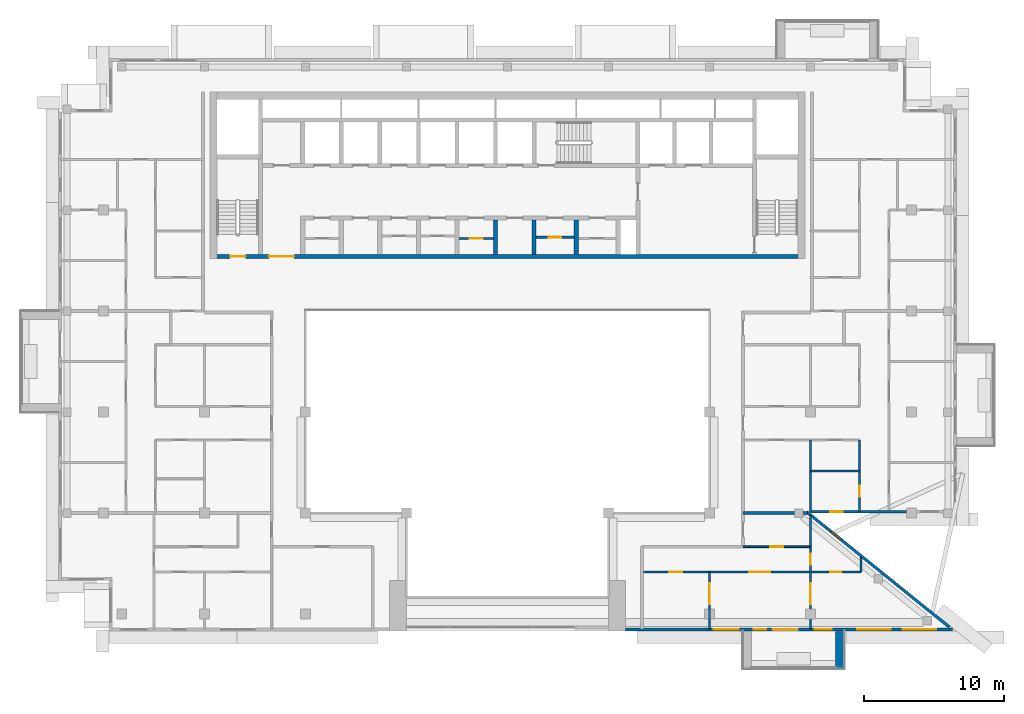
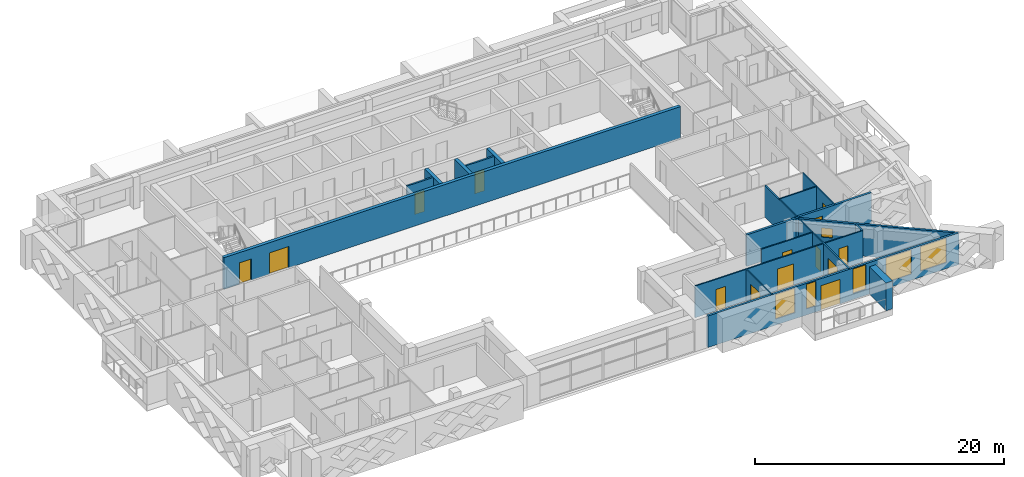
# One storey, part 8 of 19: 19 walls, 13 doors, 7 windows, 20 openings.
"""IFC4 building model written with IfcOpenShell, lengths in metres."""

from ifc_helpers import new_model, si_unit, direction, frame, frame_2d, origin, place, context, subcontext, project, spatial, rectangle, extrude, material, layer, layer_set, type_object, element, fill, save


model = new_model("IFC4")

# Units and contexts
model_context = context("Model", 3, precision=1e-05, world=origin(), true_north=direction((0.0, 1.0)))
body_context = subcontext(model_context, "Body", "Model", "MODEL_VIEW")
ifc_project = project(units=[si_unit("LENGTHUNIT", "METRE"), si_unit("AREAUNIT", "SQUARE_METRE"), si_unit("VOLUMEUNIT", "CUBIC_METRE"), si_unit("PLANEANGLEUNIT", "RADIAN"), si_unit("MASSUNIT", "GRAM", prefix="KILO")], contexts=[model_context])

# Site, building, storey
site_placement = place(None, origin())
site = spatial("IfcSite", under=ifc_project, at=site_placement, CompositionType="ELEMENT")
building_placement = place(site_placement, origin())
building = spatial("IfcBuilding", under=site, at=building_placement, Name="Saffron Iwan Residences", CompositionType="ELEMENT")
storey_placement = place(building_placement, frame((0.0, 0.0, 267.5)))
storey = spatial("IfcBuildingStorey", under=building, at=storey_placement, Name="L72", CompositionType="ELEMENT", Elevation=267.5)

# Wall
ifc_material_1 = material(Name="Concrete C50/60 white painted", Category="concrete")
ifc_layer_1 = layer(ifc_material_1, 0.60009765625)
ifc_layer_set_1 = layer_set([ifc_layer_1], Name="Concrete C50/60 white painted")
wall_type_1 = type_object("IfcWallType", Name="BALCONY FIN 600", PredefinedType="SOLIDWALL", material=ifc_layer_set_1)
wall_1_placement = place(storey_placement, frame((74.10009765625, 39.550048828125, 0.0), z_axis=(0.0, 0.0, 1.0), x_axis=(0.0, -1.0, 0.0)))
element("IfcWall", 1, at=wall_1_placement, inside=storey, type_object=wall_type_1, Name="Balcony fin L72 11-1b", PredefinedType="SOLIDWALL", context=body_context, shape_type="SweptSolid", body=[
    extrude(rectangle(XDim=2.650146484375, YDim=0.60009765625, at=frame_2d((1.3251953125, 0.0))), origin(), (0.0, 0.0, 1.0), 2.72900390625),
])

# Wall, opening, door
ifc_material_2 = material(Name="Fire-rated plasterboard partition")
ifc_layer_2 = layer(ifc_material_2, 0.14990234375)
ifc_layer_set_2 = layer_set([ifc_layer_2], Name="Fire-rated plasterboard partition")
wall_type_2 = type_object("IfcWallType", Name="Core partition 150", PredefinedType="PARTITIONING", material=ifc_layer_set_2)
wall_2_placement = place(storey_placement, frame((46.949951171875, 67.5654296875, 0.0), z_axis=(0.0, 0.0, 1.0), x_axis=(1.0, 0.0, 0.0)))
wall_2 = element("IfcWall", 2, at=wall_2_placement, inside=storey, type_object=wall_type_2, Name="Core partition P04", PredefinedType="PARTITIONING", context=body_context, shape_type="SweptSolid", body=[
    extrude(rectangle(XDim=2.449951171875, YDim=0.14990234375, at=frame_2d((1.22509765625, 0.0))), origin(), (0.0, 0.0, 1.0), 3.09912109375),
])
opening_1_placement = place(wall_2_placement, frame((0.77490234375, 0.0, 0.0)))
opening_1 = element("IfcOpeningElement", 3, at=opening_1_placement, cuts=wall_2, Name="Opening SB", PredefinedType="OPENING", context=body_context, shape_type="SweptSolid", body=[
    extrude(rectangle(XDim=0.89990234375, YDim=2.10009765625, at=frame_2d((0.449951171875, 1.050048828125))), frame((0.0, 0.0849609375, 0.0), z_axis=(0.0, -1.0, 0.0), x_axis=(1.0, 0.0, 0.0)), (0.0, 0.0, 1.0), 0.169921875),
])
ifc_material_3 = material(Name="Steel fire door", Category="steel")
door_type_1 = type_object("IfcDoorType", Name="Store door 900", OperationType="NOTDEFINED", PredefinedType="DOOR", material=ifc_material_3)
door_1_placement = place(opening_1_placement, origin())
door_1 = element("IfcDoor", 4, at=door_1_placement, inside=storey, type_object=door_type_1, Name="Door Records store", OperationType="SINGLE_SWING_RIGHT", OverallHeight=2.10009765625, OverallWidth=0.89990234375, PredefinedType="DOOR", context=body_context, shape_type="SweptSolid", body=[
    extrude(rectangle(XDim=0.89990234375, YDim=2.10009765625, at=frame_2d((0.449951171875, 1.050048828125))), frame((0.0, 0.02490234375, 0.0), z_axis=(0.0, -1.0, 0.0), x_axis=(1.0, 0.0, 0.0)), (0.0, 0.0, 1.0), 0.050048828125),
])
fill(opening_1, door_1)

wall_3_placement = place(storey_placement, frame((52.449951171875, 67.66259765625, 0.0), z_axis=(0.0, 0.0, 1.0), x_axis=(1.0, 0.0, 0.0)))
wall_3 = element("IfcWall", 5, at=wall_3_placement, inside=storey, type_object=wall_type_2, Name="Core partition P05", PredefinedType="PARTITIONING", context=body_context, shape_type="SweptSolid", body=[
    extrude(rectangle(XDim=2.699951171875, YDim=0.14990234375, at=frame_2d((1.35009765625, 0.0))), origin(), (0.0, 0.0, 1.0), 3.09912109375),
])
opening_2_placement = place(wall_3_placement, frame((0.89990234375, 0.0, 0.0)))
opening_2 = element("IfcOpeningElement", 6, at=opening_2_placement, cuts=wall_3, Name="Opening SB", PredefinedType="OPENING", context=body_context, shape_type="SweptSolid", body=[
    extrude(rectangle(XDim=0.89990234375, YDim=2.10009765625, at=frame_2d((0.449951171875, 1.050048828125))), frame((0.0, 0.0849609375, 0.0), z_axis=(0.0, -1.0, 0.0), x_axis=(1.0, 0.0, 0.0)), (0.0, 0.0, 1.0), 0.169921875),
])
door_2_placement = place(opening_2_placement, origin())
door_2 = element("IfcDoor", 7, at=door_2_placement, inside=storey, type_object=door_type_1, Name="Door Mop store", OperationType="SINGLE_SWING_LEFT", OverallHeight=2.10009765625, OverallWidth=0.89990234375, PredefinedType="DOOR", context=body_context, shape_type="SweptSolid", body=[
    extrude(rectangle(XDim=0.89990234375, YDim=2.10009765625, at=frame_2d((0.449951171875, 1.050048828125))), frame((0.0, 0.02490234375, 0.0), z_axis=(0.0, -1.0, 0.0), x_axis=(1.0, 0.0, 0.0)), (0.0, 0.0, 1.0), 0.050048828125),
])
fill(opening_2, door_2)

# Wall, opening, window
ifc_material_4 = material(Name="Concrete C40/50", Category="concrete")
ifc_layer_3 = layer(ifc_material_4, 0.199951171875)
ifc_layer_set_3 = layer_set([ifc_layer_3], Name="Concrete C40/50")
wall_type_3 = type_object("IfcWallType", Name="EXTERNAL WALL 200", PredefinedType="SOLIDWALL", material=ifc_layer_set_3)
wall_4_placement = place(storey_placement, frame((81.906982421875, 39.86962890625, 0.0), z_axis=(0.0, 0.0, 1.0), x_axis=(-0.777936274417, 0.62834318087, 0.0)))
wall_4 = element("IfcWall", 8, at=wall_4_placement, inside=storey, type_object=wall_type_3, Name="External wall L72 F0.0", PredefinedType="SOLIDWALL", context=body_context, shape_type="SweptSolid", body=[
    extrude(rectangle(XDim=13.0986328125, YDim=0.199951171875, at=frame_2d((6.54931640625, 0.0))), origin(), (0.0, 0.0, 1.0), 3.09912109375),
])
opening_3_placement = place(wall_4_placement, frame((9.9384765625, 0.0, 1.5)))
opening_3 = element("IfcOpeningElement", 9, at=opening_3_placement, cuts=wall_4, Name="Opening W6", PredefinedType="OPENING", context=body_context, shape_type="SweptSolid", body=[
    extrude(rectangle(XDim=0.89990234375, YDim=0.89990234375, at=frame_2d((0.449951171875, 0.449951171875))), frame((0.0, 0.10986328125, 0.0), z_axis=(0.0, -1.0, 0.0), x_axis=(1.0, 0.0, 0.0)), (0.0, 0.0, 1.0), 0.219970703125),
])
ifc_material_5 = material(Name="Clear glass, laminated double glazed", Category="glass")
window_type_1 = type_object("IfcWindowType", Name="WINDOW 900 x 900 BATH", PartitioningType="SINGLE_PANEL", PredefinedType="WINDOW", material=ifc_material_5)
window_1_placement = place(opening_3_placement, origin())
window_1 = element("IfcWindow", 10, at=window_1_placement, inside=storey, type_object=window_type_1, Name="Window L72 F0.0", OverallHeight=0.89990234375, OverallWidth=0.89990234375, PartitioningType="SINGLE_PANEL", PredefinedType="WINDOW", context=body_context, shape_type="SweptSolid", body=[
    extrude(rectangle(XDim=0.89990234375, YDim=0.89990234375, at=frame_2d((0.449951171875, 0.449951171875))), frame((0.0, 0.030029296875, 0.0), z_axis=(0.0, -1.0, 0.0), x_axis=(1.0, 0.0, 0.0)), (0.0, 0.0, 1.0), 0.06005859375),
])
fill(opening_3, window_1)

wall_5_placement = place(storey_placement, frame((71.987060546875, 48.10009765625, 0.0), z_axis=(0.0, 0.0, 1.0), x_axis=(1.0, 0.0, 0.0)))
wall_5 = element("IfcWall", 11, at=wall_5_placement, inside=storey, type_object=wall_type_3, Name="External wall L72 F1.0", PredefinedType="SOLIDWALL", context=body_context, shape_type="SweptSolid", body=[
    extrude(rectangle(XDim=6.863037109375, YDim=0.199951171875, at=frame_2d((3.431640625, 0.0))), origin(), (0.0, 0.0, 1.0), 3.09912109375),
])
opening_4_placement = place(wall_5_placement, frame((1.406494140625, 0.0, 1.5)))
opening_4 = element("IfcOpeningElement", 12, at=opening_4_placement, cuts=wall_5, Name="Opening W6", PredefinedType="OPENING", context=body_context, shape_type="SweptSolid", body=[
    extrude(rectangle(XDim=0.89990234375, YDim=0.89990234375, at=frame_2d((0.449951171875, 0.449951171875))), frame((0.0, 0.10986328125, 0.0), z_axis=(0.0, -1.0, 0.0), x_axis=(1.0, 0.0, 0.0)), (0.0, 0.0, 1.0), 0.219970703125),
])
window_2_placement = place(opening_4_placement, origin())
window_2 = element("IfcWindow", 13, at=window_2_placement, inside=storey, type_object=window_type_1, Name="Window L72 F1.0", OverallHeight=0.89990234375, OverallWidth=0.89990234375, PartitioningType="SINGLE_PANEL", PredefinedType="WINDOW", context=body_context, shape_type="SweptSolid", body=[
    extrude(rectangle(XDim=0.89990234375, YDim=0.89990234375, at=frame_2d((0.449951171875, 0.449951171875))), frame((0.0, 0.030029296875, 0.0), z_axis=(0.0, -1.0, 0.0), x_axis=(1.0, 0.0, 0.0)), (0.0, 0.0, 1.0), 0.06005859375),
])
fill(opening_4, window_2)

# Wall, openings, door, windows
wall_6_placement = place(storey_placement, frame((58.800048828125, 39.699951171875, 0.0), z_axis=(0.0, 0.0, 1.0), x_axis=(1.0, 0.0, 0.0)))
wall_6 = element("IfcWall", 14, at=wall_6_placement, inside=storey, type_object=wall_type_3, Name="External wall L72 F11.1", PredefinedType="SOLIDWALL", context=body_context, shape_type="SweptSolid", body=[
    extrude(rectangle(XDim=23.31689453125, YDim=0.199951171875, at=frame_2d((11.658447265625, 0.0))), origin(), (0.0, 0.0, 1.0), 3.09912109375),
])
opening_5_placement = place(wall_6_placement, frame((10.5, 0.0, 0.0)))
opening_5 = element("IfcOpeningElement", 15, at=opening_5_placement, cuts=wall_6, Name="Opening BD1", PredefinedType="OPENING", context=body_context, shape_type="SweptSolid", body=[
    extrude(rectangle(XDim=1.800048828125, YDim=2.39990234375, at=frame_2d((0.89990234375, 1.199951171875))), frame((0.0, 0.10986328125, 0.0), z_axis=(0.0, -1.0, 0.0), x_axis=(1.0, 0.0, 0.0)), (0.0, 0.0, 1.0), 0.219970703125),
])
opening_6_placement = place(wall_6_placement, frame((6.300048828125, 0.0, 0.60009765625)))
opening_6 = element("IfcOpeningElement", 16, at=opening_6_placement, cuts=wall_6, Name="Opening W8", PredefinedType="OPENING", context=body_context, shape_type="SweptSolid", body=[
    extrude(rectangle(XDim=1.800048828125, YDim=2.39990234375, at=frame_2d((0.89990234375, 1.199951171875))), frame((0.0, 0.10986328125, 0.0), z_axis=(0.0, -1.0, 0.0), x_axis=(1.0, 0.0, 0.0)), (0.0, 0.0, 1.0), 0.219970703125),
])
opening_7_placement = place(wall_6_placement, frame((9.14990234375, 0.0, 0.60009765625)))
opening_7 = element("IfcOpeningElement", 17, at=opening_7_placement, cuts=wall_6, Name="Opening W10", PredefinedType="OPENING", context=body_context, shape_type="SweptSolid", body=[
    extrude(rectangle(XDim=0.89990234375, YDim=2.39990234375, at=frame_2d((0.449951171875, 1.199951171875))), frame((0.0, 0.10986328125, 0.0), z_axis=(0.0, -1.0, 0.0), x_axis=(1.0, 0.0, 0.0)), (0.0, 0.0, 1.0), 0.219970703125),
])
opening_8_placement = place(wall_6_placement, frame((13.5, 0.0, 0.60009765625)))
opening_8 = element("IfcOpeningElement", 18, at=opening_8_placement, cuts=wall_6, Name="Opening W3", PredefinedType="OPENING", context=body_context, shape_type="SweptSolid", body=[
    extrude(rectangle(XDim=1.199951171875, YDim=2.39990234375, at=frame_2d((0.60009765625, 1.199951171875))), frame((0.0, 0.10986328125, 0.0), z_axis=(0.0, -1.0, 0.0), x_axis=(1.0, 0.0, 0.0)), (0.0, 0.0, 1.0), 0.219970703125),
])
opening_9_placement = place(wall_6_placement, frame((16.5390625, 0.0, 0.60009765625)))
opening_9 = element("IfcOpeningElement", 19, at=opening_9_placement, cuts=wall_6, Name="Opening W1", PredefinedType="OPENING", context=body_context, shape_type="SweptSolid", body=[
    extrude(rectangle(XDim=2.39990234375, YDim=2.39990234375, at=frame_2d((1.199951171875, 1.199951171875))), frame((0.0, 0.10986328125, 0.0), z_axis=(0.0, -1.0, 0.0), x_axis=(1.0, 0.0, 0.0)), (0.0, 0.0, 1.0), 0.219970703125),
])
opening_10_placement = place(wall_6_placement, frame((19.778076171875, 0.0, 0.60009765625)))
opening_10 = element("IfcOpeningElement", 20, at=opening_10_placement, cuts=wall_6, Name="Opening W1", PredefinedType="OPENING", context=body_context, shape_type="SweptSolid", body=[
    extrude(rectangle(XDim=2.39990234375, YDim=2.39990234375, at=frame_2d((1.199951171875, 1.199951171875))), frame((0.0, 0.10986328125, 0.0), z_axis=(0.0, -1.0, 0.0), x_axis=(1.0, 0.0, 0.0)), (0.0, 0.0, 1.0), 0.219970703125),
])
door_type_2 = type_object("IfcDoorType", Name="BALCONY DOOR 1800 x 2400", OperationType="DOUBLE_DOOR_SLIDING", PredefinedType="DOOR", material=ifc_material_5)
door_3_placement = place(opening_5_placement, origin())
door_3 = element("IfcDoor", 21, at=door_3_placement, inside=storey, type_object=door_type_2, Name="Balcony door L72 F11.0", OperationType="DOUBLE_DOOR_SLIDING", OverallHeight=2.39990234375, OverallWidth=1.800048828125, PredefinedType="DOOR", context=body_context, shape_type="SweptSolid", body=[
    extrude(rectangle(XDim=1.800048828125, YDim=2.39990234375, at=frame_2d((0.89990234375, 1.199951171875))), frame((0.0, 0.02490234375, 0.0), z_axis=(0.0, -1.0, 0.0), x_axis=(1.0, 0.0, 0.0)), (0.0, 0.0, 1.0), 0.050048828125),
])
fill(opening_5, door_3)
window_type_2 = type_object("IfcWindowType", Name="WINDOW 1200 x 2400", PartitioningType="SINGLE_PANEL", PredefinedType="WINDOW", material=ifc_material_5)
window_3_placement = place(opening_8_placement, origin())
window_3 = element("IfcWindow", 22, at=window_3_placement, inside=storey, type_object=window_type_2, Name="Window L72 F11.3", OverallHeight=2.39990234375, OverallWidth=1.199951171875, PartitioningType="SINGLE_PANEL", PredefinedType="WINDOW", context=body_context, shape_type="SweptSolid", body=[
    extrude(rectangle(XDim=1.199951171875, YDim=2.39990234375, at=frame_2d((0.60009765625, 1.199951171875))), frame((0.0, 0.030029296875, 0.0), z_axis=(0.0, -1.0, 0.0), x_axis=(1.0, 0.0, 0.0)), (0.0, 0.0, 1.0), 0.06005859375),
])
fill(opening_8, window_3)
window_type_3 = type_object("IfcWindowType", Name="WINDOW 1800 x 2400", PartitioningType="DOUBLE_PANEL_VERTICAL", PredefinedType="WINDOW", material=ifc_material_5)
window_4_placement = place(opening_6_placement, origin())
window_4 = element("IfcWindow", 23, at=window_4_placement, inside=storey, type_object=window_type_3, Name="Window L72 F11.1", OverallHeight=2.39990234375, OverallWidth=1.800048828125, PartitioningType="DOUBLE_PANEL_VERTICAL", PredefinedType="WINDOW", context=body_context, shape_type="SweptSolid", body=[
    extrude(rectangle(XDim=1.800048828125, YDim=2.39990234375, at=frame_2d((0.89990234375, 1.199951171875))), frame((0.0, 0.030029296875, 0.0), z_axis=(0.0, -1.0, 0.0), x_axis=(1.0, 0.0, 0.0)), (0.0, 0.0, 1.0), 0.06005859375),
])
fill(opening_6, window_4)
window_type_4 = type_object("IfcWindowType", Name="WINDOW 2400 x 2400", PartitioningType="DOUBLE_PANEL_VERTICAL", PredefinedType="WINDOW", material=ifc_material_5)
window_5_placement = place(opening_9_placement, origin())
window_5 = element("IfcWindow", 24, at=window_5_placement, inside=storey, type_object=window_type_4, Name="Window L72 F11.4", OverallHeight=2.39990234375, OverallWidth=2.39990234375, PartitioningType="DOUBLE_PANEL_VERTICAL", PredefinedType="WINDOW", context=body_context, shape_type="SweptSolid", body=[
    extrude(rectangle(XDim=2.39990234375, YDim=2.39990234375, at=frame_2d((1.199951171875, 1.199951171875))), frame((0.0, 0.030029296875, 0.0), z_axis=(0.0, -1.0, 0.0), x_axis=(1.0, 0.0, 0.0)), (0.0, 0.0, 1.0), 0.06005859375),
])
fill(opening_9, window_5)
window_6_placement = place(opening_10_placement, origin())
window_6 = element("IfcWindow", 25, at=window_6_placement, inside=storey, type_object=window_type_4, Name="Window L72 F11.5", OverallHeight=2.39990234375, OverallWidth=2.39990234375, PartitioningType="DOUBLE_PANEL_VERTICAL", PredefinedType="WINDOW", context=body_context, shape_type="SweptSolid", body=[
    extrude(rectangle(XDim=2.39990234375, YDim=2.39990234375, at=frame_2d((1.199951171875, 1.199951171875))), frame((0.0, 0.030029296875, 0.0), z_axis=(0.0, -1.0, 0.0), x_axis=(1.0, 0.0, 0.0)), (0.0, 0.0, 1.0), 0.06005859375),
])
fill(opening_10, window_6)
window_type_5 = type_object("IfcWindowType", Name="WINDOW 900 x 2400", PartitioningType="SINGLE_PANEL", PredefinedType="WINDOW", material=ifc_material_5)
window_7_placement = place(opening_7_placement, origin())
window_7 = element("IfcWindow", 26, at=window_7_placement, inside=storey, type_object=window_type_5, Name="Window L72 F11.2", OverallHeight=2.39990234375, OverallWidth=0.89990234375, PartitioningType="SINGLE_PANEL", PredefinedType="WINDOW", context=body_context, shape_type="SweptSolid", body=[
    extrude(rectangle(XDim=0.89990234375, YDim=2.39990234375, at=frame_2d((0.449951171875, 1.199951171875))), frame((0.0, 0.030029296875, 0.0), z_axis=(0.0, -1.0, 0.0), x_axis=(1.0, 0.0, 0.0)), (0.0, 0.0, 1.0), 0.06005859375),
])
fill(opening_7, window_7)

# Wall
ifc_material_6 = material(Name="Fire-rated gypsum board wall")
ifc_layer_4 = layer(ifc_material_6, 0.199951171875)
ifc_layer_set_4 = layer_set([ifc_layer_4], Name="Fire-rated gypsum board wall")
wall_type_4 = type_object("IfcWallType", Name="Flat demising wall 200", PredefinedType="SOLIDWALL", material=ifc_layer_set_4)
wall_7_placement = place(storey_placement, frame((67.199951171875, 48.0, 0.0), z_axis=(0.0, 0.0, 1.0), x_axis=(1.0, 0.0, 0.0)))
element("IfcWall", 27, at=wall_7_placement, inside=storey, type_object=wall_type_4, Name="W-L72-DEMISE-h48-67.2", PredefinedType="SOLIDWALL", context=body_context, shape_type="SweptSolid", body=[
    extrude(rectangle(XDim=4.60107421875, YDim=0.199951171875, at=frame_2d((2.300537109375, 0.0))), origin(), (0.0, 0.0, 1.0), 3.09912109375),
])

# Wall, openings, doors
ifc_material_7 = material(Name="Gypsum board partition")
ifc_layer_5 = layer(ifc_material_7, 0.1201171875)
ifc_layer_set_5 = layer_set([ifc_layer_5], Name="Gypsum board partition")
wall_type_5 = type_object("IfcWallType", Name="Flat partition 120", PredefinedType="PARTITIONING", material=ifc_layer_set_5)
wall_8_placement = place(storey_placement, frame((60.0, 43.800048828125, 0.0), z_axis=(0.0, 0.0, 1.0), x_axis=(1.0, 0.0, 0.0)))
wall_8 = element("IfcWall", 28, at=wall_8_placement, inside=storey, type_object=wall_type_5, Name="W-L72-PART-h43.8-60", PredefinedType="PARTITIONING", context=body_context, shape_type="SweptSolid", body=[
    extrude(rectangle(XDim=15.60009765625, YDim=0.1201171875, at=frame_2d((7.800048828125, 0.0))), origin(), (0.0, 0.0, 1.0), 3.09912109375),
])
opening_11_placement = place(wall_8_placement, frame((7.64990234375, 0.0, 0.0)))
opening_11 = element("IfcOpeningElement", 29, at=opening_11_placement, cuts=wall_8, Name="Opening FD4", PredefinedType="OPENING", context=body_context, shape_type="SweptSolid", body=[
    extrude(rectangle(XDim=1.5, YDim=2.10009765625, at=frame_2d((0.75, 1.050048828125))), frame((0.0, 0.070068359375, 0.0), z_axis=(0.0, -1.0, 0.0), x_axis=(1.0, 0.0, 0.0)), (0.0, 0.0, 1.0), 0.14013671875),
])
opening_12_placement = place(wall_8_placement, frame((1.949951171875, 0.0, 0.0)))
opening_12 = element("IfcOpeningElement", 30, at=opening_12_placement, cuts=wall_8, Name="Opening FD2", PredefinedType="OPENING", context=body_context, shape_type="SweptSolid", body=[
    extrude(rectangle(XDim=0.89990234375, YDim=2.10009765625, at=frame_2d((0.449951171875, 1.050048828125))), frame((0.0, 0.070068359375, 0.0), z_axis=(0.0, -1.0, 0.0), x_axis=(1.0, 0.0, 0.0)), (0.0, 0.0, 1.0), 0.14013671875),
])
opening_13_placement = place(wall_8_placement, frame((13.39990234375, 0.0, 0.0)))
opening_13 = element("IfcOpeningElement", 31, at=opening_13_placement, cuts=wall_8, Name="Opening FD3", PredefinedType="OPENING", context=body_context, shape_type="SweptSolid", body=[
    extrude(rectangle(XDim=0.800048828125, YDim=2.10009765625, at=frame_2d((0.39990234375, 1.050048828125))), frame((0.0, 0.070068359375, 0.0), z_axis=(0.0, -1.0, 0.0), x_axis=(1.0, 0.0, 0.0)), (0.0, 0.0, 1.0), 0.14013671875),
])
ifc_material_8 = material(Name="Timber door", Category="wood")
door_type_3 = type_object("IfcDoorType", Name="Bathroom door 800", OperationType="NOTDEFINED", PredefinedType="DOOR", material=ifc_material_8)
door_4_placement = place(opening_13_placement, origin())
door_4 = element("IfcDoor", 32, at=door_4_placement, inside=storey, type_object=door_type_3, Name="Door L72-048", OperationType="SINGLE_SWING_LEFT", OverallHeight=2.10009765625, OverallWidth=0.800048828125, PredefinedType="DOOR", context=body_context, shape_type="SweptSolid", body=[
    extrude(rectangle(XDim=0.800048828125, YDim=2.10009765625, at=frame_2d((0.39990234375, 1.050048828125))), frame((0.0, 0.02490234375, 0.0), z_axis=(0.0, -1.0, 0.0), x_axis=(1.0, 0.0, 0.0)), (0.0, 0.0, 1.0), 0.050048828125),
])
fill(opening_13, door_4)
door_type_4 = type_object("IfcDoorType", Name="Double door 1500", OperationType="NOTDEFINED", PredefinedType="DOOR", material=ifc_material_8)
door_5_placement = place(opening_11_placement, origin())
door_5 = element("IfcDoor", 33, at=door_5_placement, inside=storey, type_object=door_type_4, Name="Door L72-044", OperationType="SINGLE_SWING_LEFT", OverallHeight=2.10009765625, OverallWidth=1.5, PredefinedType="DOOR", context=body_context, shape_type="SweptSolid", body=[
    extrude(rectangle(XDim=1.5, YDim=2.10009765625, at=frame_2d((0.75, 1.050048828125))), frame((0.0, 0.02490234375, 0.0), z_axis=(0.0, -1.0, 0.0), x_axis=(1.0, 0.0, 0.0)), (0.0, 0.0, 1.0), 0.050048828125),
])
fill(opening_11, door_5)
door_type_5 = type_object("IfcDoorType", Name="Flat door 900", OperationType="NOTDEFINED", PredefinedType="DOOR", material=ifc_material_8)
door_6_placement = place(opening_12_placement, origin())
door_6 = element("IfcDoor", 34, at=door_6_placement, inside=storey, type_object=door_type_5, Name="Door L72-045", OperationType="SINGLE_SWING_LEFT", OverallHeight=2.10009765625, OverallWidth=0.89990234375, PredefinedType="DOOR", context=body_context, shape_type="SweptSolid", body=[
    extrude(rectangle(XDim=0.89990234375, YDim=2.10009765625, at=frame_2d((0.449951171875, 1.050048828125))), frame((0.0, 0.02490234375, 0.0), z_axis=(0.0, -1.0, 0.0), x_axis=(1.0, 0.0, 0.0)), (0.0, 0.0, 1.0), 0.050048828125),
])
fill(opening_12, door_6)

# Wall, opening, door
wall_9_placement = place(storey_placement, frame((67.199951171875, 45.60009765625, 0.0), z_axis=(0.0, 0.0, 1.0), x_axis=(1.0, 0.0, 0.0)))
wall_9 = element("IfcWall", 35, at=wall_9_placement, inside=storey, type_object=wall_type_5, Name="W-L72-PART-h45.6-67.2", PredefinedType="PARTITIONING", context=body_context, shape_type="SweptSolid", body=[
    extrude(rectangle(XDim=4.800048828125, YDim=0.1201171875, at=frame_2d((2.39990234375, 0.0))), origin(), (0.0, 0.0, 1.0), 3.09912109375),
])
opening_14_placement = place(wall_9_placement, frame((1.949951171875, 0.0, 0.0)))
opening_14 = element("IfcOpeningElement", 36, at=opening_14_placement, cuts=wall_9, Name="Opening FD2", PredefinedType="OPENING", context=body_context, shape_type="SweptSolid", body=[
    extrude(rectangle(XDim=0.89990234375, YDim=2.10009765625, at=frame_2d((0.449951171875, 1.050048828125))), frame((0.0, 0.070068359375, 0.0), z_axis=(0.0, -1.0, 0.0), x_axis=(1.0, 0.0, 0.0)), (0.0, 0.0, 1.0), 0.14013671875),
])
door_7_placement = place(opening_14_placement, origin())
door_7 = element("IfcDoor", 37, at=door_7_placement, inside=storey, type_object=door_type_5, Name="Door L72-042", OperationType="SINGLE_SWING_LEFT", OverallHeight=2.10009765625, OverallWidth=0.89990234375, PredefinedType="DOOR", context=body_context, shape_type="SweptSolid", body=[
    extrude(rectangle(XDim=0.89990234375, YDim=2.10009765625, at=frame_2d((0.449951171875, 1.050048828125))), frame((0.0, 0.02490234375, 0.0), z_axis=(0.0, -1.0, 0.0), x_axis=(1.0, 0.0, 0.0)), (0.0, 0.0, 1.0), 0.050048828125),
])
fill(opening_14, door_7)

# Wall
wall_10_placement = place(storey_placement, frame((72.0, 51.0, 0.0), z_axis=(0.0, 0.0, 1.0), x_axis=(1.0, 0.0, 0.0)))
element("IfcWall", 38, at=wall_10_placement, inside=storey, type_object=wall_type_5, Name="W-L72-PART-h51-72", PredefinedType="PARTITIONING", context=body_context, shape_type="SweptSolid", body=[
    extrude(rectangle(XDim=3.5, YDim=0.1201171875, at=frame_2d((1.75, 0.0))), origin(), (0.0, 0.0, 1.0), 3.09912109375),
])

# Wall, opening, door
wall_11_placement = place(storey_placement, frame((64.800048828125, 39.72509765625, 0.0), z_axis=(0.0, 0.0, 1.0), x_axis=(0.0, 1.0, 0.0)))
wall_11 = element("IfcWall", 39, at=wall_11_placement, inside=storey, type_object=wall_type_5, Name="W-L72-PART-v64.8-39.725", PredefinedType="PARTITIONING", context=body_context, shape_type="SweptSolid", body=[
    extrude(rectangle(XDim=4.074951171875, YDim=0.1201171875, at=frame_2d((2.03759765625, 0.0))), origin(), (0.0, 0.0, 1.0), 3.09912109375),
])
opening_15_placement = place(wall_11_placement, frame((1.78759765625, 0.0, 0.0)))
opening_15 = element("IfcOpeningElement", 40, at=opening_15_placement, cuts=wall_11, Name="Opening FD4", PredefinedType="OPENING", context=body_context, shape_type="SweptSolid", body=[
    extrude(rectangle(XDim=1.5, YDim=2.10009765625, at=frame_2d((0.75, 1.050048828125))), frame((0.0, 0.070068359375, 0.0), z_axis=(0.0, -1.0, 0.0), x_axis=(1.0, 0.0, 0.0)), (0.0, 0.0, 1.0), 0.14013671875),
])
door_8_placement = place(opening_15_placement, origin())
door_8 = element("IfcDoor", 41, at=door_8_placement, inside=storey, type_object=door_type_4, Name="Door L72-041", OperationType="SINGLE_SWING_RIGHT", OverallHeight=2.10009765625, OverallWidth=1.5, PredefinedType="DOOR", context=body_context, shape_type="SweptSolid", body=[
    extrude(rectangle(XDim=1.5, YDim=2.10009765625, at=frame_2d((0.75, 1.050048828125))), frame((0.0, 0.02490234375, 0.0), z_axis=(0.0, -1.0, 0.0), x_axis=(1.0, 0.0, 0.0)), (0.0, 0.0, 1.0), 0.050048828125),
])
fill(opening_15, door_8)

# Wall, openings, doors
wall_12_placement = place(storey_placement, frame((72.0, 39.72509765625, 0.0), z_axis=(0.0, 0.0, 1.0), x_axis=(0.0, 1.0, 0.0)))
wall_12 = element("IfcWall", 42, at=wall_12_placement, inside=storey, type_object=wall_type_5, Name="W-L72-PART-v72-39.725", PredefinedType="PARTITIONING", context=body_context, shape_type="SweptSolid", body=[
    extrude(rectangle(XDim=8.114013671875, YDim=0.1201171875, at=frame_2d((4.05712890625, 0.0))), origin(), (0.0, 0.0, 1.0), 3.09912109375),
])
opening_16_placement = place(wall_12_placement, frame((1.78759765625, 0.0, 0.0)))
opening_16 = element("IfcOpeningElement", 43, at=opening_16_placement, cuts=wall_12, Name="Opening FD4", PredefinedType="OPENING", context=body_context, shape_type="SweptSolid", body=[
    extrude(rectangle(XDim=1.5, YDim=2.10009765625, at=frame_2d((0.75, 1.050048828125))), frame((0.0, 0.070068359375, 0.0), z_axis=(0.0, -1.0, 0.0), x_axis=(1.0, 0.0, 0.0)), (0.0, 0.0, 1.0), 0.14013671875),
])
opening_17_placement = place(wall_12_placement, frame((4.574951171875, 0.0, 0.0)))
opening_17 = element("IfcOpeningElement", 44, at=opening_17_placement, cuts=wall_12, Name="Opening FD3", PredefinedType="OPENING", context=body_context, shape_type="SweptSolid", body=[
    extrude(rectangle(XDim=0.800048828125, YDim=2.10009765625, at=frame_2d((0.39990234375, 1.050048828125))), frame((0.0, 0.070068359375, 0.0), z_axis=(0.0, -1.0, 0.0), x_axis=(1.0, 0.0, 0.0)), (0.0, 0.0, 1.0), 0.14013671875),
])
door_9_placement = place(opening_17_placement, origin())
door_9 = element("IfcDoor", 45, at=door_9_placement, inside=storey, type_object=door_type_3, Name="Door L72-047", OperationType="SINGLE_SWING_LEFT", OverallHeight=2.10009765625, OverallWidth=0.800048828125, PredefinedType="DOOR", context=body_context, shape_type="SweptSolid", body=[
    extrude(rectangle(XDim=0.800048828125, YDim=2.10009765625, at=frame_2d((0.39990234375, 1.050048828125))), frame((0.0, 0.02490234375, 0.0), z_axis=(0.0, -1.0, 0.0), x_axis=(1.0, 0.0, 0.0)), (0.0, 0.0, 1.0), 0.050048828125),
])
fill(opening_17, door_9)
door_10_placement = place(opening_16_placement, origin())
door_10 = element("IfcDoor", 46, at=door_10_placement, inside=storey, type_object=door_type_4, Name="Door L72-046", OperationType="SINGLE_SWING_LEFT", OverallHeight=2.10009765625, OverallWidth=1.5, PredefinedType="DOOR", context=body_context, shape_type="SweptSolid", body=[
    extrude(rectangle(XDim=1.5, YDim=2.10009765625, at=frame_2d((0.75, 1.050048828125))), frame((0.0, 0.02490234375, 0.0), z_axis=(0.0, -1.0, 0.0), x_axis=(1.0, 0.0, 0.0)), (0.0, 0.0, 1.0), 0.050048828125),
])
fill(opening_16, door_10)

# Wall
wall_13_placement = place(storey_placement, frame((72.0, 48.125, 0.0), z_axis=(0.0, 0.0, 1.0), x_axis=(0.0, 1.0, 0.0)))
element("IfcWall", 47, at=wall_13_placement, inside=storey, type_object=wall_type_5, Name="W-L72-PART-v72-48.125", PredefinedType="PARTITIONING", context=body_context, shape_type="SweptSolid", body=[
    extrude(rectangle(XDim=5.074951171875, YDim=0.1201171875, at=frame_2d((2.53759765625, 0.0))), origin(), (0.0, 0.0, 1.0), 3.09912109375),
])

# Wall, opening, door
wall_14_placement = place(storey_placement, frame((75.5, 48.125, 0.0), z_axis=(0.0, 0.0, 1.0), x_axis=(0.0, 1.0, 0.0)))
wall_14 = element("IfcWall", 48, at=wall_14_placement, inside=storey, type_object=wall_type_5, Name="W-L72-PART-v75.5-48.125", PredefinedType="PARTITIONING", context=body_context, shape_type="SweptSolid", body=[
    extrude(rectangle(XDim=5.074951171875, YDim=0.1201171875, at=frame_2d((2.53759765625, 0.0))), origin(), (0.0, 0.0, 1.0), 3.09912109375),
])
opening_18_placement = place(wall_14_placement, frame((1.03759765625, 0.0, 0.0)))
opening_18 = element("IfcOpeningElement", 49, at=opening_18_placement, cuts=wall_14, Name="Opening FD3", PredefinedType="OPENING", context=body_context, shape_type="SweptSolid", body=[
    extrude(rectangle(XDim=0.800048828125, YDim=2.10009765625, at=frame_2d((0.39990234375, 1.050048828125))), frame((0.0, 0.070068359375, 0.0), z_axis=(0.0, -1.0, 0.0), x_axis=(1.0, 0.0, 0.0)), (0.0, 0.0, 1.0), 0.14013671875),
])
door_11_placement = place(opening_18_placement, origin())
door_11 = element("IfcDoor", 50, at=door_11_placement, inside=storey, type_object=door_type_3, Name="Door L72-020", OperationType="SINGLE_SWING_LEFT", OverallHeight=2.10009765625, OverallWidth=0.800048828125, PredefinedType="DOOR", context=body_context, shape_type="SweptSolid", body=[
    extrude(rectangle(XDim=0.800048828125, YDim=2.10009765625, at=frame_2d((0.39990234375, 1.050048828125))), frame((0.0, 0.02490234375, 0.0), z_axis=(0.0, -1.0, 0.0), x_axis=(1.0, 0.0, 0.0)), (0.0, 0.0, 1.0), 0.050048828125),
])
fill(opening_18, door_11)

# Wall
wall_15_placement = place(storey_placement, frame((75.60009765625, 43.800048828125, 0.0), z_axis=(0.0, 0.0, 1.0), x_axis=(0.0, 1.0, 0.0)))
element("IfcWall", 51, at=wall_15_placement, inside=storey, type_object=wall_type_5, Name="W-L72-PART-v75.6-43.8", PredefinedType="PARTITIONING", context=body_context, shape_type="SweptSolid", body=[
    extrude(rectangle(XDim=1.03515625, YDim=0.1201171875, at=frame_2d((0.517578125, 0.0))), origin(), (0.0, 0.0, 1.0), 3.09912109375),
])

# Wall, openings, doors
ifc_layer_6 = layer(ifc_material_4, 0.300048828125)
ifc_layer_set_6 = layer_set([ifc_layer_6], Name="Concrete C40/50")
wall_type_6 = type_object("IfcWallType", Name="WALL CORE 300 C40/50 3099 HIGH", PredefinedType="SHEAR", material=ifc_layer_set_6)
wall_16_placement = place(storey_placement, frame((29.199951171875, 66.300048828125, 0.0), z_axis=(0.0, 0.0, 1.0), x_axis=(1.0, 0.0, 0.0)))
wall_16 = element("IfcWall", 52, at=wall_16_placement, inside=storey, type_object=wall_type_6, Name="Core wall", PredefinedType="SHEAR", context=body_context, shape_type="SweptSolid", body=[
    extrude(rectangle(XDim=42.400146484375, YDim=0.300048828125, at=frame_2d((21.2001953125, 0.0))), origin(), (0.0, 0.0, 1.0), 3.09912109375),
])
opening_19_placement = place(wall_16_placement, frame((1.425048828125, 0.0, 0.0)))
opening_19 = element("IfcOpeningElement", 53, at=opening_19_placement, cuts=wall_16, Name="Opening SD", PredefinedType="OPENING", context=body_context, shape_type="SweptSolid", body=[
    extrude(rectangle(XDim=1.10009765625, YDim=2.10009765625, at=frame_2d((0.550048828125, 1.050048828125))), frame((0.0, 0.16015625, 0.0), z_axis=(0.0, -1.0, 0.0), x_axis=(1.0, 0.0, 0.0)), (0.0, 0.0, 1.0), 0.320068359375),
])
opening_20_placement = place(wall_16_placement, frame((4.199951171875, 0.0, 0.0)))
opening_20 = element("IfcOpeningElement", 54, at=opening_20_placement, cuts=wall_16, Name="Opening DD", PredefinedType="OPENING", context=body_context, shape_type="SweptSolid", body=[
    extrude(rectangle(XDim=1.800048828125, YDim=2.10009765625, at=frame_2d((0.89990234375, 1.050048828125))), frame((0.0, 0.16015625, 0.0), z_axis=(0.0, -1.0, 0.0), x_axis=(1.0, 0.0, 0.0)), (0.0, 0.0, 1.0), 0.320068359375),
])
door_type_6 = type_object("IfcDoorType", Name="Lobby double door 1800", OperationType="DOUBLE_DOOR_SINGLE_SWING", PredefinedType="DOOR", material=ifc_material_3)
door_12_placement = place(opening_20_placement, origin())
door_12 = element("IfcDoor", 55, at=door_12_placement, inside=storey, type_object=door_type_6, Name="Lobby doors", OperationType="DOUBLE_DOOR_SINGLE_SWING", OverallHeight=2.10009765625, OverallWidth=1.800048828125, PredefinedType="DOOR", context=body_context, shape_type="SweptSolid", body=[
    extrude(rectangle(XDim=1.800048828125, YDim=2.10009765625, at=frame_2d((0.89990234375, 1.050048828125))), frame((0.0, 0.02490234375, 0.0), z_axis=(0.0, -1.0, 0.0), x_axis=(1.0, 0.0, 0.0)), (0.0, 0.0, 1.0), 0.050048828125),
])
fill(opening_20, door_12)
door_type_7 = type_object("IfcDoorType", Name="Stair door 1100", OperationType="NOTDEFINED", PredefinedType="DOOR", material=ifc_material_3)
door_13_placement = place(opening_19_placement, origin())
door_13 = element("IfcDoor", 56, at=door_13_placement, inside=storey, type_object=door_type_7, Name="Stair door ST-W", OperationType="SINGLE_SWING_LEFT", OverallHeight=2.10009765625, OverallWidth=1.10009765625, PredefinedType="DOOR", context=body_context, shape_type="SweptSolid", body=[
    extrude(rectangle(XDim=1.10009765625, YDim=2.10009765625, at=frame_2d((0.550048828125, 1.050048828125))), frame((0.0, 0.02490234375, 0.0), z_axis=(0.0, -1.0, 0.0), x_axis=(1.0, 0.0, 0.0)), (0.0, 0.0, 1.0), 0.050048828125),
])
fill(opening_19, door_13)

# Walls
for number, where, z_axis, x_axis, name in (
    (57, (49.550048828125, 66.449951171875, 0.0), (0.0, 0.0, 1.0), (0.0, 1.0, 0.0), "Core wall"),
    (58, (52.300048828125, 66.449951171875, 0.0), (0.0, 0.0, 1.0), (0.0, 1.0, 0.0), "Core wall"),
    (59, (55.300048828125, 66.449951171875, 0.0), (0.0, 0.0, 1.0), (0.0, 1.0, 0.0), "Core wall"),
):
    element("IfcWall", number, at=place(storey_placement, frame(where, z_axis=z_axis, x_axis=x_axis)), inside=storey, type_object=wall_type_6, Name=name, PredefinedType="SHEAR", context=body_context, shape_type="SweptSolid", body=[
        extrude(rectangle(XDim=2.425048828125, YDim=0.300048828125, at=frame_2d((1.21240234375, 0.0))), origin(), (0.0, 0.0, 1.0), 3.09912109375),
    ])

save(model, "model.ifc")
